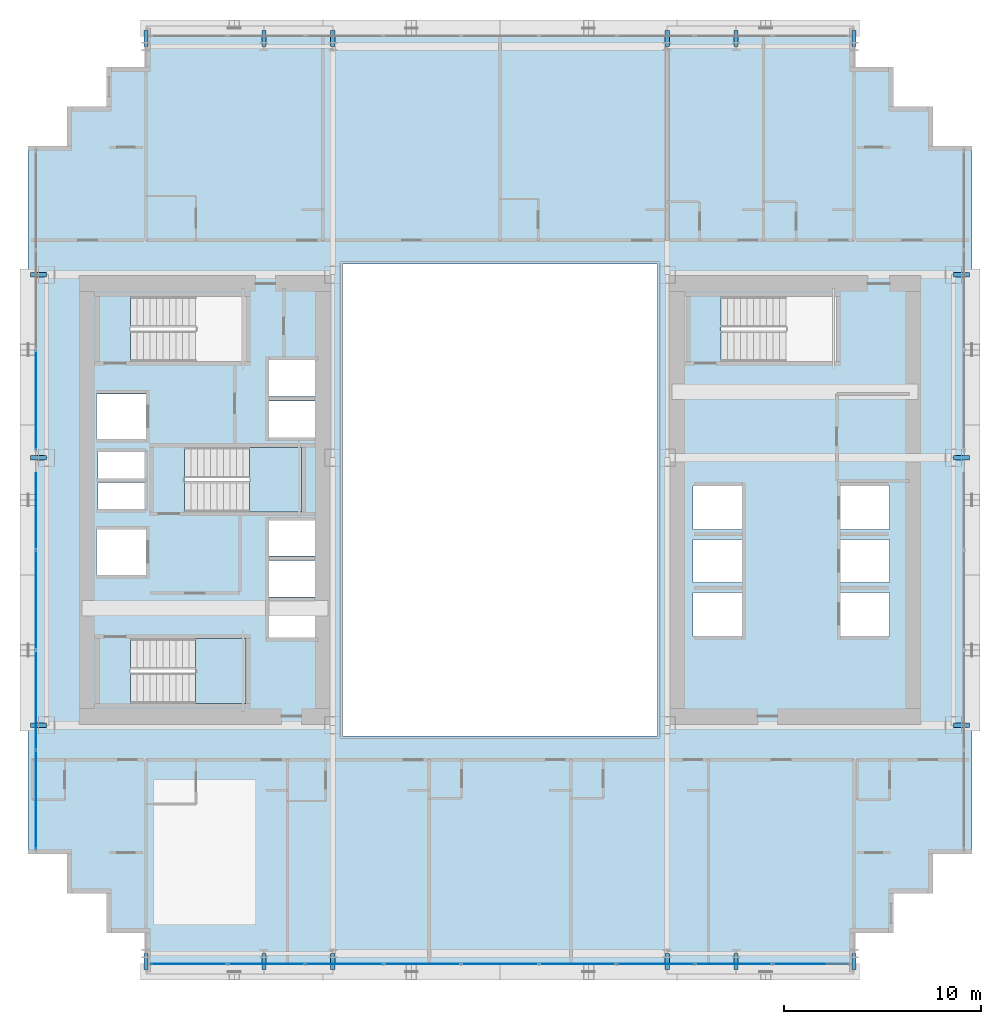
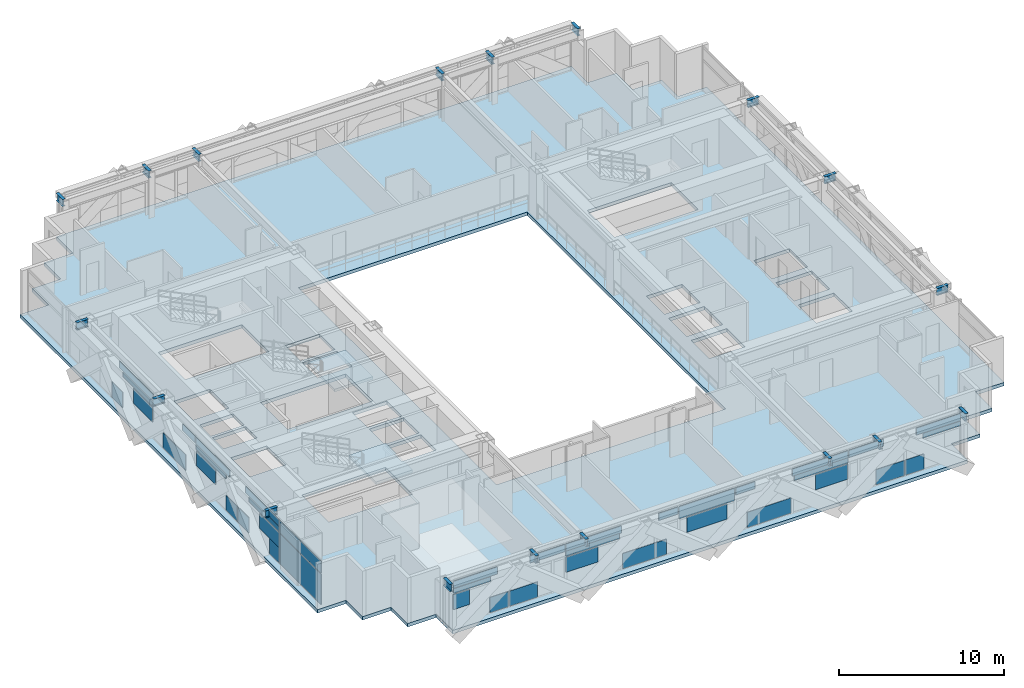
# One storey, part 23 of 35: 40 plates, 18 beams, 3 slabs, 4 elements without a shape of their own.
"""IFC4 building model written with IfcOpenShell, lengths in metres."""

from ifc_helpers import new_model, si_unit, direction, frame, origin, origin_2d, place, context, subcontext, project, spatial, polyline, rectangle, i_section, outline, extrude, source, transform, mapped, material, layer, layer_set, material_profile, profile_set, type_object, element, aggregate, save


model = new_model("IFC4")

# Units and contexts
model_context = context("Model", 3, precision=1e-05, world=origin(), true_north=direction((0.0, 1.0)))
body_context = subcontext(model_context, "Body", "Model", "MODEL_VIEW")
ifc_project = project(units=[si_unit("LENGTHUNIT", "METRE"), si_unit("AREAUNIT", "SQUARE_METRE"), si_unit("VOLUMEUNIT", "CUBIC_METRE"), si_unit("PLANEANGLEUNIT", "RADIAN"), si_unit("MASSUNIT", "GRAM", prefix="KILO")], contexts=[model_context])

# Site, building, storey
site_placement = place(None, origin())
site = spatial("IfcSite", under=ifc_project, at=site_placement, CompositionType="ELEMENT")
building_placement = place(site_placement, origin())
building = spatial("IfcBuilding", under=site, at=building_placement, Name="Ocotamira Hotel", CompositionType="ELEMENT")
storey_placement = place(building_placement, frame((0.0, 0.0, 78.0)))
storey = spatial("IfcBuildingStorey", under=building, at=storey_placement, Name="L19", CompositionType="ELEMENT", Elevation=78.0)

# Beams
ifc_material_1 = material(Name="Steel ASTM A992 Grade 50", Category="steel")
ifc_material_profile = material_profile(ifc_material_1, i_section(OverallWidth=0.2099609375, OverallDepth=0.537109375, WebThickness=0.010986328125, FlangeThickness=0.017333984375, FilletRadius=0.012939453125, at=origin_2d()), Name="W21X68")
ifc_profile_set = profile_set([ifc_material_profile], Name="Steel ASTM A992 Grade 50")
beam_type = type_object("IfcBeamType", Name="BM-SEC-W21X68", PredefinedType="JOIST", material=ifc_profile_set)
shared_shape_1 = source(origin(), body_context, "Body", "SweptSolid", [
    extrude(i_section(OverallWidth=0.2099609375, OverallDepth=0.537109375, WebThickness=0.010986328125, FlangeThickness=0.017333984375, FilletRadius=0.012939453125, at=origin_2d()), origin(), (0.0, 0.0, 1.0), 0.800048828125),
])
for number, where, z_axis, x_axis, name in (
    (1, (14.0, 2.949951171875, 3.08154296875), (0.0, -1.0, 0.0), (1.0, 0.0, 0.0), "L19 South Edge Header X14"),
    (2, (14.0, 49.050048828125, 3.08154296875), (0.0, 1.0, 0.0), (-1.0, 0.0, 0.0), "L19 North Edge Header X14"),
    (3, (20.0, 2.949951171875, 3.08154296875), (0.0, -1.0, 0.0), (1.0, 0.0, 0.0), "L19 South Edge Header X20"),
    (4, (20.0, 49.050048828125, 3.08154296875), (0.0, 1.0, 0.0), (-1.0, 0.0, 0.0), "L19 North Edge Header X20"),
    (5, (23.5, 2.949951171875, 3.08154296875), (0.0, -1.0, 0.0), (1.0, 0.0, 0.0), "L19 South Edge Header X23.5"),
    (6, (23.5, 49.050048828125, 3.08154296875), (0.0, 1.0, 0.0), (-1.0, 0.0, 0.0), "L19 North Edge Header X23.5"),
    (7, (40.5, 2.949951171875, 3.08154296875), (0.0, -1.0, 0.0), (1.0, 0.0, 0.0), "L19 South Edge Header X40.5"),
    (8, (40.5, 49.050048828125, 3.08154296875), (0.0, 1.0, 0.0), (-1.0, 0.0, 0.0), "L19 North Edge Header X40.5"),
    (9, (44.0, 2.949951171875, 3.08154296875), (0.0, -1.0, 0.0), (1.0, 0.0, 0.0), "L19 South Edge Header X44"),
    (10, (44.0, 49.050048828125, 3.08154296875), (0.0, 1.0, 0.0), (-1.0, 0.0, 0.0), "L19 North Edge Header X44"),
    (11, (50.0, 2.949951171875, 3.08154296875), (0.0, -1.0, 0.0), (1.0, 0.0, 0.0), "L19 South Edge Header X50"),
    (12, (50.0, 49.050048828125, 3.08154296875), (0.0, 1.0, 0.0), (-1.0, 0.0, 0.0), "L19 North Edge Header X50"),
    (13, (8.949951171875, 14.550048828125, 3.08154296875), (-1.0, 0.0, 0.0), (0.0, -1.0, 0.0), "L19 West Edge Header Y14.55"),
    (14, (55.050048828125, 14.550048828125, 3.08154296875), (1.0, 0.0, 0.0), (0.0, 1.0, 0.0), "L19 East Edge Header Y14.55"),
    (15, (8.949951171875, 28.14990234375, 3.08154296875), (-1.0, 0.0, 0.0), (0.0, -1.0, 0.0), "L19 West Edge Header Y28.15"),
    (16, (55.050048828125, 28.14990234375, 3.08154296875), (1.0, 0.0, 0.0), (0.0, 1.0, 0.0), "L19 East Edge Header Y28.15"),
    (17, (8.949951171875, 37.449951171875, 3.08154296875), (-1.0, 0.0, 0.0), (0.0, -1.0, 0.0), "L19 West Edge Header Y37.45"),
    (18, (55.050048828125, 37.449951171875, 3.08154296875), (1.0, 0.0, 0.0), (0.0, 1.0, 0.0), "L19 East Edge Header Y37.45"),
):
    element("IfcBeam", number, at=place(storey_placement, frame(where, z_axis=z_axis, x_axis=x_axis)), inside=storey, type_object=beam_type, Name=name, PredefinedType="JOIST", context=body_context, shape_type="MappedRepresentation", body=[
        mapped(shared_shape_1, transform((0.0, 0.0, 0.0), scale=1.0)),
    ])

# Stair, slab
ifc_material_2 = material(Name="Concrete C40/50", Category="concrete")
stair_type = type_object("IfcStairType", Name="ST-CORE-1560", PredefinedType="HALF_TURN_STAIR", material=ifc_material_2)
stair_1_placement = place(storey_placement, origin())
stair_1 = element("IfcStair", 19, at=stair_1_placement, inside=storey, type_object=stair_type, Name="L19 Exit Stair ST-1", PredefinedType="HALF_TURN_STAIR")
ifc_layer_1 = layer(ifc_material_2, 0.199951171875)
ifc_layer_set_1 = layer_set([ifc_layer_1], Name="Concrete C40/50")
slab_type_1 = type_object("IfcSlabType", Name="SLB-LAND-200", PredefinedType="LANDING", material=ifc_layer_set_1)
slab_1_placement = place(storey_placement, frame((0.0, 0.0, 1.60009765625)))
slab_1 = element("IfcSlab", 20, at=slab_1_placement, type_object=slab_type_1, Name="ST-1 landing 1", PredefinedType="LANDING", context=body_context, shape_type="SweptSolid", body=[
    extrude(outline(polyline([(16.530029296875, 15.669921875), (19.090087890625, 15.669921875), (19.090087890625, 18.949951171875), (16.530029296875, 18.949951171875), (16.530029296875, 15.669921875)])), origin(), (0.0, 0.0, 1.0), 0.199951171875),
])
aggregate(stair_1, [slab_1])

stair_2_placement = place(storey_placement, origin())
stair_2 = element("IfcStair", 21, at=stair_2_placement, inside=storey, type_object=stair_type, Name="L19 Exit Stair ST-3", PredefinedType="HALF_TURN_STAIR")
slab_2_placement = place(storey_placement, frame((0.0, 0.0, 1.60009765625)))
slab_2 = element("IfcSlab", 22, at=slab_2_placement, type_object=slab_type_1, Name="ST-3 landing 1", PredefinedType="LANDING", context=body_context, shape_type="SweptSolid", body=[
    extrude(outline(polyline([(19.260009765625, 25.39990234375), (21.919921875, 25.39990234375), (21.919921875, 28.679931640625), (19.260009765625, 28.679931640625), (19.260009765625, 25.39990234375)])), origin(), (0.0, 0.0, 1.0), 0.199951171875),
])
aggregate(stair_2, [slab_2])

# Slab
ifc_layer_2 = layer(ifc_material_2, 0.25)
ifc_layer_set_2 = layer_set([ifc_layer_2], Name="Concrete C40/50")
slab_type_2 = type_object("IfcSlabType", Name="SLB-Z1-250", PredefinedType="FLOOR", material=ifc_layer_set_2)
slab_3_placement = place(storey_placement, frame((0.0, 0.0, -0.25)))
element("IfcSlab", 23, at=slab_3_placement, inside=storey, type_object=slab_type_2, Name="L19 Structural Floor Slab", PredefinedType="FLOOR", context=body_context, shape_type="SweptSolid", body=[
    extrude(outline(polyline([(14.0, 2.0), (50.0, 2.0), (50.0, 4.0), (52.0, 4.0), (52.0, 6.0), (54.0, 6.0), (54.0, 8.0), (56.0, 8.0), (56.0, 44.0), (54.0, 44.0), (54.0, 46.0), (52.0, 46.0), (52.0, 48.0), (50.0, 48.0), (50.0, 50.0), (14.0, 50.0), (14.0, 48.0), (12.0, 48.0), (12.0, 46.0), (10.0, 46.0), (10.0, 44.0), (8.0, 44.0), (8.0, 8.0), (10.0, 8.0), (10.0, 6.0), (12.0, 6.0), (12.0, 4.0), (14.0, 4.0), (14.0, 2.0)]), holes=[polyline([(24.0, 14.0), (40.0, 14.0), (40.0, 38.0), (24.0, 38.0), (24.0, 14.0)]), polyline([(13.22998046875, 15.669921875), (19.090087890625, 15.669921875), (19.090087890625, 18.949951171875), (13.22998046875, 18.949951171875), (13.22998046875, 15.669921875)]), polyline([(13.22998046875, 33.050048828125), (19.090087890625, 33.050048828125), (19.090087890625, 36.330078125), (13.22998046875, 36.330078125), (13.22998046875, 33.050048828125)]), polyline([(15.9599609375, 25.39990234375), (21.919921875, 25.39990234375), (21.919921875, 28.679931640625), (15.9599609375, 28.679931640625), (15.9599609375, 25.39990234375)]), polyline([(43.22998046875, 33.050048828125), (49.090087890625, 33.050048828125), (49.090087890625, 36.330078125), (43.22998046875, 36.330078125), (43.22998046875, 33.050048828125)]), polyline([(49.300048828125, 19.10009765625), (51.800048828125, 19.10009765625), (51.800048828125, 21.300048828125), (49.300048828125, 21.300048828125), (49.300048828125, 19.10009765625)]), polyline([(49.300048828125, 21.800048828125), (51.800048828125, 21.800048828125), (51.800048828125, 24.0), (49.300048828125, 24.0), (49.300048828125, 21.800048828125)]), polyline([(49.300048828125, 24.5), (51.800048828125, 24.5), (51.800048828125, 26.699951171875), (49.300048828125, 26.699951171875), (49.300048828125, 24.5)]), polyline([(41.800048828125, 19.10009765625), (44.300048828125, 19.10009765625), (44.300048828125, 21.300048828125), (41.800048828125, 21.300048828125), (41.800048828125, 19.10009765625)]), polyline([(41.800048828125, 21.800048828125), (44.300048828125, 21.800048828125), (44.300048828125, 24.0), (41.800048828125, 24.0), (41.800048828125, 21.800048828125)]), polyline([(41.800048828125, 24.5), (44.300048828125, 24.5), (44.300048828125, 26.699951171875), (41.800048828125, 26.699951171875), (41.800048828125, 24.5)]), polyline([(20.25, 19.0), (22.659912109375, 19.0), (22.659912109375, 20.85009765625), (20.25, 20.85009765625), (20.25, 19.0)]), polyline([(20.25, 21.080078125), (22.659912109375, 21.080078125), (22.659912109375, 22.929931640625), (20.25, 22.929931640625), (20.25, 21.080078125)]), polyline([(20.25, 23.159912109375), (22.659912109375, 23.159912109375), (22.659912109375, 24.9599609375), (20.25, 24.9599609375), (20.25, 23.159912109375)]), polyline([(20.25, 29.179931640625), (22.659912109375, 29.179931640625), (22.659912109375, 31.030029296875), (20.25, 31.030029296875), (20.25, 29.179931640625)]), polyline([(20.25, 31.260009765625), (22.659912109375, 31.260009765625), (22.659912109375, 33.110107421875), (20.25, 33.110107421875), (20.25, 31.260009765625)]), polyline([(11.5, 22.199951171875), (14.0, 22.199951171875), (14.0, 24.5), (11.5, 24.5), (11.5, 22.199951171875)]), polyline([(11.5, 29.10009765625), (14.0, 29.10009765625), (14.0, 31.39990234375), (11.5, 31.39990234375), (11.5, 29.10009765625)]), polyline([(11.580078125, 25.550048828125), (13.919921875, 25.550048828125), (13.919921875, 26.89990234375), (11.580078125, 26.89990234375), (11.580078125, 25.550048828125)]), polyline([(11.580078125, 27.10009765625), (13.919921875, 27.10009765625), (13.919921875, 28.449951171875), (11.580078125, 28.449951171875), (11.580078125, 27.10009765625)])]), origin(), (0.0, 0.0, 1.0), 0.25),
])

# Curtain wall, plates
ifc_material_3 = material(Name="Anodised pale-metal aluminium and solar glass", Category="aluminium")
ifc_layer_3 = layer(ifc_material_3, 0.179931640625)
ifc_layer_set_3 = layer_set([ifc_layer_3], Name="Anodised pale-metal aluminium and solar glass")
curtain_wall_type = type_object("IfcCurtainWallType", Name="CW-SYS2-Z1", PredefinedType="NOTDEFINED", material=ifc_layer_set_3)
curtain_wall_1_placement = place(storey_placement, origin())
curtain_wall_1 = element("IfcCurtainWall", 24, at=curtain_wall_1_placement, inside=storey, type_object=curtain_wall_type, Name="L19 Curtain Wall CW-2 CW-L19-S1", PredefinedType="NOTDEFINED")
ifc_material_4 = material(Name="Double-silver low-E insulated solar glass", Category="glass")
ifc_layer_4 = layer(ifc_material_4, 0.031982421875)
ifc_layer_set_4 = layer_set([ifc_layer_4], Name="Double-silver low-E insulated solar glass")
plate_type = type_object("IfcPlateType", Name="CWP-VISION-32", PredefinedType="CURTAIN_PANEL", material=ifc_layer_set_4)
shared_shape_2 = source(origin(), body_context, "Body", "SweptSolid", [
    extrude(rectangle(XDim=1.278076171875, YDim=0.031982421875, at=origin_2d()), origin(), (0.0, 0.0, 1.0), 1.11865234375),
])
plate_1_placement = place(storey_placement, frame((17.4765625, 2.419921875, 0.0751953125), z_axis=(0.0, 0.0, 1.0), x_axis=(1.0, 0.0, 0.0)))
plate_1 = element("IfcPlate", 25, at=plate_1_placement, type_object=plate_type, Name="CW-2 panel 1.1.2", PredefinedType="CURTAIN_PANEL", context=body_context, shape_type="MappedRepresentation", body=[
    mapped(shared_shape_2, transform((0.0, 0.0, 0.0), scale=1.0)),
])
plate_2_placement = place(storey_placement, frame((46.5234375, 2.419921875, 0.0751953125), z_axis=(0.0, 0.0, 1.0), x_axis=(1.0, 0.0, 0.0)))
plate_2 = element("IfcPlate", 26, at=plate_2_placement, type_object=plate_type, Name="CW-2 panel 9.1.1", PredefinedType="CURTAIN_PANEL", context=body_context, shape_type="MappedRepresentation", body=[
    mapped(shared_shape_2, transform((0.0, 0.0, 0.0), scale=1.0)),
])
shared_shape_3 = source(origin(), body_context, "Body", "SweptSolid", [
    extrude(rectangle(XDim=3.079833984375, YDim=0.031982421875, at=origin_2d()), origin(), (0.0, 0.0, 1.0), 0.5107421875),
])
plate_3_placement = place(storey_placement, frame((15.820068359375, 2.419921875, 2.76416015625), z_axis=(0.0, 0.0, 1.0), x_axis=(1.0, 0.0, 0.0)))
plate_3 = element("IfcPlate", 27, at=plate_3_placement, type_object=plate_type, Name="CW-2 panel 1.2.2", PredefinedType="CURTAIN_PANEL", context=body_context, shape_type="MappedRepresentation", body=[
    mapped(shared_shape_3, transform((0.0, 0.0, 0.0), scale=1.0)),
])
plate_4_placement = place(storey_placement, frame((48.179931640625, 2.419921875, 2.76416015625), z_axis=(0.0, 0.0, 1.0), x_axis=(1.0, 0.0, 0.0)))
plate_4 = element("IfcPlate", 28, at=plate_4_placement, type_object=plate_type, Name="CW-2 panel 9.2.1", PredefinedType="CURTAIN_PANEL", context=body_context, shape_type="MappedRepresentation", body=[
    mapped(shared_shape_3, transform((0.0, 0.0, 0.0), scale=1.0)),
])
shared_shape_4 = source(origin(), body_context, "Body", "SweptSolid", [
    extrude(rectangle(XDim=1.966796875, YDim=0.031982421875, at=origin_2d()), origin(), (0.0, 0.0, 1.0), 1.11865234375),
])
plate_5_placement = place(storey_placement, frame((19.178955078125, 2.419921875, 0.0751953125), z_axis=(0.0, 0.0, 1.0), x_axis=(1.0, 0.0, 0.0)))
plate_5 = element("IfcPlate", 29, at=plate_5_placement, type_object=plate_type, Name="CW-2 panel 2.1.1", PredefinedType="CURTAIN_PANEL", context=body_context, shape_type="MappedRepresentation", body=[
    mapped(shared_shape_4, transform((0.0, 0.0, 0.0), scale=1.0)),
])
plate_6_placement = place(storey_placement, frame((44.821044921875, 2.419921875, 0.0751953125), z_axis=(0.0, 0.0, 1.0), x_axis=(1.0, 0.0, 0.0)))
plate_6 = element("IfcPlate", 30, at=plate_6_placement, type_object=plate_type, Name="CW-2 panel 8.1.1", PredefinedType="CURTAIN_PANEL", context=body_context, shape_type="MappedRepresentation", body=[
    mapped(shared_shape_4, transform((0.0, 0.0, 0.0), scale=1.0)),
])
shared_shape_5 = source(origin(), body_context, "Body", "SweptSolid", [
    extrude(rectangle(XDim=2.430908203125, YDim=0.031982421875, at=origin_2d()), origin(), (0.0, 0.0, 1.0), 0.5107421875),
])
plate_7_placement = place(storey_placement, frame((20.855712890625, 2.419921875, 2.76416015625), z_axis=(0.0, 0.0, 1.0), x_axis=(1.0, 0.0, 0.0)))
plate_7 = element("IfcPlate", 31, at=plate_7_placement, type_object=plate_type, Name="CW-2 panel 2.2.1", PredefinedType="CURTAIN_PANEL", context=body_context, shape_type="MappedRepresentation", body=[
    mapped(shared_shape_5, transform((0.0, 0.0, 0.0), scale=1.0)),
])
plate_8_placement = place(storey_placement, frame((43.144287109375, 2.419921875, 2.76416015625), z_axis=(0.0, 0.0, 1.0), x_axis=(1.0, 0.0, 0.0)))
plate_8 = element("IfcPlate", 32, at=plate_8_placement, type_object=plate_type, Name="CW-2 panel 8.2.1", PredefinedType="CURTAIN_PANEL", context=body_context, shape_type="MappedRepresentation", body=[
    mapped(shared_shape_5, transform((0.0, 0.0, 0.0), scale=1.0)),
])
shared_shape_6 = source(origin(), body_context, "Body", "SweptSolid", [
    extrude(rectangle(XDim=3.73779296875, YDim=0.031982421875, at=origin_2d()), origin(), (0.0, 0.0, 1.0), 0.376708984375),
])
plate_9_placement = place(storey_placement, frame((24.02001953125, 2.419921875, 2.3876953125), z_axis=(0.0, 0.0, 1.0), x_axis=(1.0, 0.0, 0.0)))
plate_9 = element("IfcPlate", 33, at=plate_9_placement, type_object=plate_type, Name="CW-2 panel 3.2.1", PredefinedType="CURTAIN_PANEL", context=body_context, shape_type="MappedRepresentation", body=[
    mapped(shared_shape_6, transform((0.0, 0.0, 0.0), scale=1.0)),
])
plate_10_placement = place(storey_placement, frame((39.97998046875, 2.419921875, 2.3876953125), z_axis=(0.0, 0.0, 1.0), x_axis=(1.0, 0.0, 0.0)))
plate_10 = element("IfcPlate", 34, at=plate_10_placement, type_object=plate_type, Name="CW-2 panel 7.2.2", PredefinedType="CURTAIN_PANEL", context=body_context, shape_type="MappedRepresentation", body=[
    mapped(shared_shape_6, transform((0.0, 0.0, 0.0), scale=1.0)),
])
shared_shape_7 = source(origin(), body_context, "Body", "SweptSolid", [
    extrude(rectangle(XDim=3.87548828125, YDim=0.031982421875, at=origin_2d()), origin(), (0.0, 0.0, 1.0), 0.5107421875),
])
plate_11_placement = place(storey_placement, frame((24.0888671875, 2.419921875, 2.76416015625), z_axis=(0.0, 0.0, 1.0), x_axis=(1.0, 0.0, 0.0)))
plate_11 = element("IfcPlate", 35, at=plate_11_placement, type_object=plate_type, Name="CW-2 panel 3.2.2", PredefinedType="CURTAIN_PANEL", context=body_context, shape_type="MappedRepresentation", body=[
    mapped(shared_shape_7, transform((0.0, 0.0, 0.0), scale=1.0)),
])
plate_12_placement = place(storey_placement, frame((39.9111328125, 2.419921875, 2.76416015625), z_axis=(0.0, 0.0, 1.0), x_axis=(1.0, 0.0, 0.0)))
plate_12 = element("IfcPlate", 36, at=plate_12_placement, type_object=plate_type, Name="CW-2 panel 7.2.1", PredefinedType="CURTAIN_PANEL", context=body_context, shape_type="MappedRepresentation", body=[
    mapped(shared_shape_7, transform((0.0, 0.0, 0.0), scale=1.0)),
])
shared_shape_8 = source(origin(), body_context, "Body", "SweptSolid", [
    extrude(rectangle(XDim=3.055908203125, YDim=0.031982421875, at=origin_2d()), origin(), (0.0, 0.0, 1.0), 1.11865234375),
])
plate_13_placement = place(storey_placement, frame((27.634521484375, 2.419921875, 0.0751953125), z_axis=(0.0, 0.0, 1.0), x_axis=(1.0, 0.0, 0.0)))
plate_13 = element("IfcPlate", 37, at=plate_13_placement, type_object=plate_type, Name="CW-2 panel 4.1.1", PredefinedType="CURTAIN_PANEL", context=body_context, shape_type="MappedRepresentation", body=[
    mapped(shared_shape_8, transform((0.0, 0.0, 0.0), scale=1.0)),
])
plate_14_placement = place(storey_placement, frame((36.365478515625, 2.419921875, 0.0751953125), z_axis=(0.0, 0.0, 1.0), x_axis=(1.0, 0.0, 0.0)))
plate_14 = element("IfcPlate", 38, at=plate_14_placement, type_object=plate_type, Name="CW-2 panel 6.1.1", PredefinedType="CURTAIN_PANEL", context=body_context, shape_type="MappedRepresentation", body=[
    mapped(shared_shape_8, transform((0.0, 0.0, 0.0), scale=1.0)),
])
shared_shape_9 = source(origin(), body_context, "Body", "SweptSolid", [
    extrude(rectangle(XDim=1.34228515625, YDim=0.031982421875, at=origin_2d()), origin(), (0.0, 0.0, 1.0), 0.5107421875),
])
plate_15_placement = place(storey_placement, frame((29.31103515625, 2.419921875, 2.76416015625), z_axis=(0.0, 0.0, 1.0), x_axis=(1.0, 0.0, 0.0)))
plate_15 = element("IfcPlate", 39, at=plate_15_placement, type_object=plate_type, Name="CW-2 panel 4.2.1", PredefinedType="CURTAIN_PANEL", context=body_context, shape_type="MappedRepresentation", body=[
    mapped(shared_shape_9, transform((0.0, 0.0, 0.0), scale=1.0)),
])
plate_16_placement = place(storey_placement, frame((34.68896484375, 2.419921875, 2.76416015625), z_axis=(0.0, 0.0, 1.0), x_axis=(1.0, 0.0, 0.0)))
plate_16 = element("IfcPlate", 40, at=plate_16_placement, type_object=plate_type, Name="CW-2 panel 6.2.1", PredefinedType="CURTAIN_PANEL", context=body_context, shape_type="MappedRepresentation", body=[
    mapped(shared_shape_9, transform((0.0, 0.0, 0.0), scale=1.0)),
])
shared_shape_10 = source(origin(), body_context, "Body", "SweptSolid", [
    extrude(rectangle(XDim=3.87548828125, YDim=0.031982421875, at=origin_2d()), origin(), (0.0, 0.0, 1.0), 0.887451171875),
])
plate_17_placement = place(storey_placement, frame((32.0, 2.419921875, 2.3876953125), z_axis=(0.0, 0.0, 1.0), x_axis=(1.0, 0.0, 0.0)))
plate_17 = element("IfcPlate", 41, at=plate_17_placement, type_object=plate_type, Name="CW-2 panel 5.2", PredefinedType="CURTAIN_PANEL", context=body_context, shape_type="MappedRepresentation", body=[
    mapped(shared_shape_10, transform((0.0, 0.0, 0.0), scale=1.0)),
])

curtain_wall_2_placement = place(storey_placement, origin())
curtain_wall_2 = element("IfcCurtainWall", 42, at=curtain_wall_2_placement, inside=storey, type_object=curtain_wall_type, Name="L19 Curtain Wall CW-2 CW-L19-W", PredefinedType="NOTDEFINED")
shared_shape_11 = source(origin(), body_context, "Body", "SweptSolid", [
    extrude(rectangle(XDim=4.9658203125, YDim=0.031982421875, at=origin_2d()), origin(), (0.0, 0.0, 1.0), 2.237548828125),
])
plate_18_placement = place(storey_placement, frame((8.419921875, 10.762939453125, 0.0751953125), z_axis=(0.0, 0.0, 1.0), x_axis=(0.0, 1.0, 0.0)))
plate_18 = element("IfcPlate", 43, at=plate_18_placement, type_object=plate_type, Name="CW-2 panel 1.1", PredefinedType="CURTAIN_PANEL", context=body_context, shape_type="MappedRepresentation", body=[
    mapped(shared_shape_11, transform((0.0, 0.0, 0.0), scale=1.0)),
])
shared_shape_12 = source(origin(), body_context, "Body", "SweptSolid", [
    extrude(rectangle(XDim=4.9658203125, YDim=0.031982421875, at=origin_2d()), origin(), (0.0, 0.0, 1.0), 0.887451171875),
])
plate_19_placement = place(storey_placement, frame((8.419921875, 10.762939453125, 2.3876953125), z_axis=(0.0, 0.0, 1.0), x_axis=(0.0, 1.0, 0.0)))
plate_19 = element("IfcPlate", 44, at=plate_19_placement, type_object=plate_type, Name="CW-2 panel 1.2", PredefinedType="CURTAIN_PANEL", context=body_context, shape_type="MappedRepresentation", body=[
    mapped(shared_shape_12, transform((0.0, 0.0, 0.0), scale=1.0)),
])
shared_shape_13 = source(origin(), body_context, "Body", "SweptSolid", [
    extrude(rectangle(XDim=1.177978515625, YDim=0.031982421875, at=origin_2d()), origin(), (0.0, 0.0, 1.0), 1.11865234375),
])
plate_20_placement = place(storey_placement, frame((8.419921875, 13.914794921875, 0.0751953125), z_axis=(0.0, 0.0, 1.0), x_axis=(0.0, 1.0, 0.0)))
plate_20 = element("IfcPlate", 45, at=plate_20_placement, type_object=plate_type, Name="CW-2 panel 2.1.1", PredefinedType="CURTAIN_PANEL", context=body_context, shape_type="MappedRepresentation", body=[
    mapped(shared_shape_13, transform((0.0, 0.0, 0.0), scale=1.0)),
])
shared_shape_14 = source(origin(), body_context, "Body", "SweptSolid", [
    extrude(rectangle(XDim=1.330078125, YDim=0.031982421875, at=origin_2d()), origin(), (0.0, 0.0, 1.0), 1.11865234375),
])
plate_21_placement = place(storey_placement, frame((8.419921875, 17.66650390625, 0.0751953125), z_axis=(0.0, 0.0, 1.0), x_axis=(0.0, 1.0, 0.0)))
plate_21 = element("IfcPlate", 46, at=plate_21_placement, type_object=plate_type, Name="CW-2 panel 2.1.3", PredefinedType="CURTAIN_PANEL", context=body_context, shape_type="MappedRepresentation", body=[
    mapped(shared_shape_14, transform((0.0, 0.0, 0.0), scale=1.0)),
])
shared_shape_15 = source(origin(), body_context, "Body", "SweptSolid", [
    extrude(rectangle(XDim=4.05615234375, YDim=0.031982421875, at=origin_2d()), origin(), (0.0, 0.0, 1.0), 0.485107421875),
])
plate_22_placement = place(storey_placement, frame((8.419921875, 15.353759765625, 2.7900390625), z_axis=(0.0, 0.0, 1.0), x_axis=(0.0, 1.0, 0.0)))
plate_22 = element("IfcPlate", 47, at=plate_22_placement, type_object=plate_type, Name="CW-2 panel 2.2.2", PredefinedType="CURTAIN_PANEL", context=body_context, shape_type="MappedRepresentation", body=[
    mapped(shared_shape_15, transform((0.0, 0.0, 0.0), scale=1.0)),
])
shared_shape_16 = source(origin(), body_context, "Body", "SweptSolid", [
    extrude(rectangle(XDim=1.3203125, YDim=0.031982421875, at=origin_2d()), origin(), (0.0, 0.0, 1.0), 1.11865234375),
])
plate_23_placement = place(storey_placement, frame((8.419921875, 19.071533203125, 0.0751953125), z_axis=(0.0, 0.0, 1.0), x_axis=(0.0, 1.0, 0.0)))
plate_23 = element("IfcPlate", 48, at=plate_23_placement, type_object=plate_type, Name="CW-2 panel 3.1.1", PredefinedType="CURTAIN_PANEL", context=body_context, shape_type="MappedRepresentation", body=[
    mapped(shared_shape_16, transform((0.0, 0.0, 0.0), scale=1.0)),
])
plate_24_placement = place(storey_placement, frame((8.419921875, 32.928466796875, 0.0751953125), z_axis=(0.0, 0.0, 1.0), x_axis=(0.0, 1.0, 0.0)))
plate_24 = element("IfcPlate", 49, at=plate_24_placement, type_object=plate_type, Name="CW-2 panel 5.1.2", PredefinedType="CURTAIN_PANEL", context=body_context, shape_type="MappedRepresentation", body=[
    mapped(shared_shape_16, transform((0.0, 0.0, 0.0), scale=1.0)),
])
shared_shape_17 = source(origin(), body_context, "Body", "SweptSolid", [
    extrude(rectangle(XDim=4.06591796875, YDim=0.031982421875, at=origin_2d()), origin(), (0.0, 0.0, 1.0), 0.485107421875),
])
plate_25_placement = place(storey_placement, frame((8.419921875, 21.38427734375, 2.7900390625), z_axis=(0.0, 0.0, 1.0), x_axis=(0.0, 1.0, 0.0)))
plate_25 = element("IfcPlate", 50, at=plate_25_placement, type_object=plate_type, Name="CW-2 panel 3.2.1", PredefinedType="CURTAIN_PANEL", context=body_context, shape_type="MappedRepresentation", body=[
    mapped(shared_shape_17, transform((0.0, 0.0, 0.0), scale=1.0)),
])
plate_26_placement = place(storey_placement, frame((8.419921875, 30.61572265625, 2.7900390625), z_axis=(0.0, 0.0, 1.0), x_axis=(0.0, 1.0, 0.0)))
plate_26 = element("IfcPlate", 51, at=plate_26_placement, type_object=plate_type, Name="CW-2 panel 5.2.2", PredefinedType="CURTAIN_PANEL", context=body_context, shape_type="MappedRepresentation", body=[
    mapped(shared_shape_17, transform((0.0, 0.0, 0.0), scale=1.0)),
])
shared_shape_18 = source(origin(), body_context, "Body", "SweptSolid", [
    extrude(rectangle(XDim=2.730224609375, YDim=0.031982421875, at=origin_2d()), origin(), (0.0, 0.0, 1.0), 1.11865234375),
])
plate_27_placement = place(storey_placement, frame((8.419921875, 26.0, 0.0751953125), z_axis=(0.0, 0.0, 1.0), x_axis=(0.0, 1.0, 0.0)))
plate_27 = element("IfcPlate", 52, at=plate_27_placement, type_object=plate_type, Name="CW-2 panel 4.1.1", PredefinedType="CURTAIN_PANEL", context=body_context, shape_type="MappedRepresentation", body=[
    mapped(shared_shape_18, transform((0.0, 0.0, 0.0), scale=1.0)),
])
shared_shape_19 = source(origin(), body_context, "Body", "SweptSolid", [
    extrude(rectangle(XDim=1.518310546875, YDim=0.031982421875, at=origin_2d()), origin(), (0.0, 0.0, 1.0), 0.485107421875),
])
plate_28_placement = place(storey_placement, frame((8.419921875, 24.256103515625, 2.7900390625), z_axis=(0.0, 0.0, 1.0), x_axis=(0.0, 1.0, 0.0)))
plate_28 = element("IfcPlate", 53, at=plate_28_placement, type_object=plate_type, Name="CW-2 panel 4.2.1", PredefinedType="CURTAIN_PANEL", context=body_context, shape_type="MappedRepresentation", body=[
    mapped(shared_shape_19, transform((0.0, 0.0, 0.0), scale=1.0)),
])

# Plate
shared_shape_20 = source(origin(), body_context, "Body", "SweptSolid", [
    extrude(rectangle(XDim=1.11669921875, YDim=0.031982421875, at=origin_2d()), origin(), (0.0, 0.0, 1.0), 1.118896484375),
])
plate_29_placement = place(storey_placement, frame((14.83837890625, 2.419921875, 1.19384765625), z_axis=(0.0, 0.0, 1.0), x_axis=(1.0, 0.0, 0.0)))
plate_29 = element("IfcPlate", 54, at=plate_29_placement, type_object=plate_type, Name="CW-2 panel 1.1.1", PredefinedType="CURTAIN_PANEL", context=body_context, shape_type="MappedRepresentation", body=[
    mapped(shared_shape_20, transform((0.0, 0.0, 0.0), scale=1.0)),
])

shared_shape_21 = source(origin(), body_context, "Body", "SweptSolid", [
    extrude(rectangle(XDim=2.24560546875, YDim=0.031982421875, at=origin_2d()), origin(), (0.0, 0.0, 1.0), 1.118896484375),
])
plate_30_placement = place(storey_placement, frame((23.27392578125, 2.419921875, 1.19384765625), z_axis=(0.0, 0.0, 1.0), x_axis=(1.0, 0.0, 0.0)))
plate_30 = element("IfcPlate", 55, at=plate_30_placement, type_object=plate_type, Name="CW-2 panel 3.1.1", PredefinedType="CURTAIN_PANEL", context=body_context, shape_type="MappedRepresentation", body=[
    mapped(shared_shape_21, transform((0.0, 0.0, 0.0), scale=1.0)),
])

plate_31_placement = place(storey_placement, frame((40.72607421875, 2.419921875, 1.19384765625), z_axis=(0.0, 0.0, 1.0), x_axis=(1.0, 0.0, 0.0)))
plate_31 = element("IfcPlate", 56, at=plate_31_placement, type_object=plate_type, Name="CW-2 panel 7.1.1", PredefinedType="CURTAIN_PANEL", context=body_context, shape_type="MappedRepresentation", body=[
    mapped(shared_shape_21, transform((0.0, 0.0, 0.0), scale=1.0)),
])

shared_shape_22 = source(origin(), body_context, "Body", "SweptSolid", [
    extrude(rectangle(XDim=2.793701171875, YDim=0.031982421875, at=origin_2d()), origin(), (0.0, 0.0, 1.0), 1.118896484375),
])
plate_32_placement = place(storey_placement, frame((32.0, 2.419921875, 1.19384765625), z_axis=(0.0, 0.0, 1.0), x_axis=(1.0, 0.0, 0.0)))
plate_32 = element("IfcPlate", 57, at=plate_32_placement, type_object=plate_type, Name="CW-2 panel 5.1.1", PredefinedType="CURTAIN_PANEL", context=body_context, shape_type="MappedRepresentation", body=[
    mapped(shared_shape_22, transform((0.0, 0.0, 0.0), scale=1.0)),
])

shared_shape_23 = source(origin(), body_context, "Body", "SweptSolid", [
    extrude(rectangle(XDim=2.364013671875, YDim=0.031982421875, at=origin_2d()), origin(), (0.0, 0.0, 1.0), 1.118896484375),
])
plate_33_placement = place(storey_placement, frame((8.419921875, 14.5078125, 1.19384765625), z_axis=(0.0, 0.0, 1.0), x_axis=(0.0, 1.0, 0.0)))
plate_33 = element("IfcPlate", 58, at=plate_33_placement, type_object=plate_type, Name="CW-2 panel 2.1.2", PredefinedType="CURTAIN_PANEL", context=body_context, shape_type="MappedRepresentation", body=[
    mapped(shared_shape_23, transform((0.0, 0.0, 0.0), scale=1.0)),
])

shared_shape_24 = source(origin(), body_context, "Body", "SweptSolid", [
    extrude(rectangle(XDim=2.27978515625, YDim=0.031982421875, at=origin_2d()), origin(), (0.0, 0.0, 1.0), 1.118896484375),
])
plate_34_placement = place(storey_placement, frame((8.419921875, 22.183349609375, 1.19384765625), z_axis=(0.0, 0.0, 1.0), x_axis=(0.0, 1.0, 0.0)))
plate_34 = element("IfcPlate", 59, at=plate_34_placement, type_object=plate_type, Name="CW-2 panel 3.1.2", PredefinedType="CURTAIN_PANEL", context=body_context, shape_type="MappedRepresentation", body=[
    mapped(shared_shape_24, transform((0.0, 0.0, 0.0), scale=1.0)),
])

plate_35_placement = place(storey_placement, frame((8.419921875, 29.816650390625, 1.19384765625), z_axis=(0.0, 0.0, 1.0), x_axis=(0.0, 1.0, 0.0)))
plate_35 = element("IfcPlate", 60, at=plate_35_placement, type_object=plate_type, Name="CW-2 panel 5.1.1", PredefinedType="CURTAIN_PANEL", context=body_context, shape_type="MappedRepresentation", body=[
    mapped(shared_shape_24, transform((0.0, 0.0, 0.0), scale=1.0)),
])

shared_shape_25 = source(origin(), body_context, "Body", "SweptSolid", [
    extrude(rectangle(XDim=2.60888671875, YDim=0.031982421875, at=origin_2d()), origin(), (0.0, 0.0, 1.0), 0.343017578125),
])
plate_36_placement = place(storey_placement, frame((15.58447265625, 2.419921875, 2.3876953125), z_axis=(0.0, 0.0, 1.0), x_axis=(1.0, 0.0, 0.0)))
plate_36 = element("IfcPlate", 61, at=plate_36_placement, type_object=plate_type, Name="CW-2 panel 1.2.1", PredefinedType="CURTAIN_PANEL", context=body_context, shape_type="MappedRepresentation", body=[
    mapped(shared_shape_25, transform((0.0, 0.0, 0.0), scale=1.0)),
])

plate_37_placement = place(storey_placement, frame((48.41552734375, 2.419921875, 2.3876953125), z_axis=(0.0, 0.0, 1.0), x_axis=(1.0, 0.0, 0.0)))
plate_37 = element("IfcPlate", 62, at=plate_37_placement, type_object=plate_type, Name="CW-2 panel 9.2.2", PredefinedType="CURTAIN_PANEL", context=body_context, shape_type="MappedRepresentation", body=[
    mapped(shared_shape_25, transform((0.0, 0.0, 0.0), scale=1.0)),
])

aggregate(curtain_wall_1, [plate_29, plate_1, plate_36, plate_3, plate_5, plate_7, plate_30, plate_9, plate_11, plate_13, plate_15, plate_32, plate_17, plate_14, plate_16, plate_31, plate_12, plate_10, plate_6, plate_8, plate_2, plate_4, plate_37])

shared_shape_26 = source(origin(), body_context, "Body", "SweptSolid", [
    extrude(rectangle(XDim=3.629638671875, YDim=0.031982421875, at=origin_2d()), origin(), (0.0, 0.0, 1.0), 0.365234375),
])
plate_38_placement = place(storey_placement, frame((8.419921875, 15.140625, 2.387451171875), z_axis=(0.0, 0.0, 1.0), x_axis=(0.0, 1.0, 0.0)))
plate_38 = element("IfcPlate", 63, at=plate_38_placement, type_object=plate_type, Name="CW-2 panel 2.2.1", PredefinedType="CURTAIN_PANEL", context=body_context, shape_type="MappedRepresentation", body=[
    mapped(shared_shape_26, transform((0.0, 0.0, 0.0), scale=1.0)),
])

shared_shape_27 = source(origin(), body_context, "Body", "SweptSolid", [
    extrude(rectangle(XDim=3.639404296875, YDim=0.031982421875, at=origin_2d()), origin(), (0.0, 0.0, 1.0), 0.365234375),
])
plate_39_placement = place(storey_placement, frame((8.419921875, 21.597412109375, 2.387451171875), z_axis=(0.0, 0.0, 1.0), x_axis=(0.0, 1.0, 0.0)))
plate_39 = element("IfcPlate", 64, at=plate_39_placement, type_object=plate_type, Name="CW-2 panel 3.2.2", PredefinedType="CURTAIN_PANEL", context=body_context, shape_type="MappedRepresentation", body=[
    mapped(shared_shape_27, transform((0.0, 0.0, 0.0), scale=1.0)),
])

plate_40_placement = place(storey_placement, frame((8.419921875, 30.402587890625, 2.387451171875), z_axis=(0.0, 0.0, 1.0), x_axis=(0.0, 1.0, 0.0)))
plate_40 = element("IfcPlate", 65, at=plate_40_placement, type_object=plate_type, Name="CW-2 panel 5.2.1", PredefinedType="CURTAIN_PANEL", context=body_context, shape_type="MappedRepresentation", body=[
    mapped(shared_shape_27, transform((0.0, 0.0, 0.0), scale=1.0)),
])

aggregate(curtain_wall_2, [plate_18, plate_19, plate_20, plate_33, plate_21, plate_38, plate_22, plate_23, plate_34, plate_25, plate_39, plate_27, plate_28, plate_35, plate_24, plate_40, plate_26])

save(model, "model.ifc")
